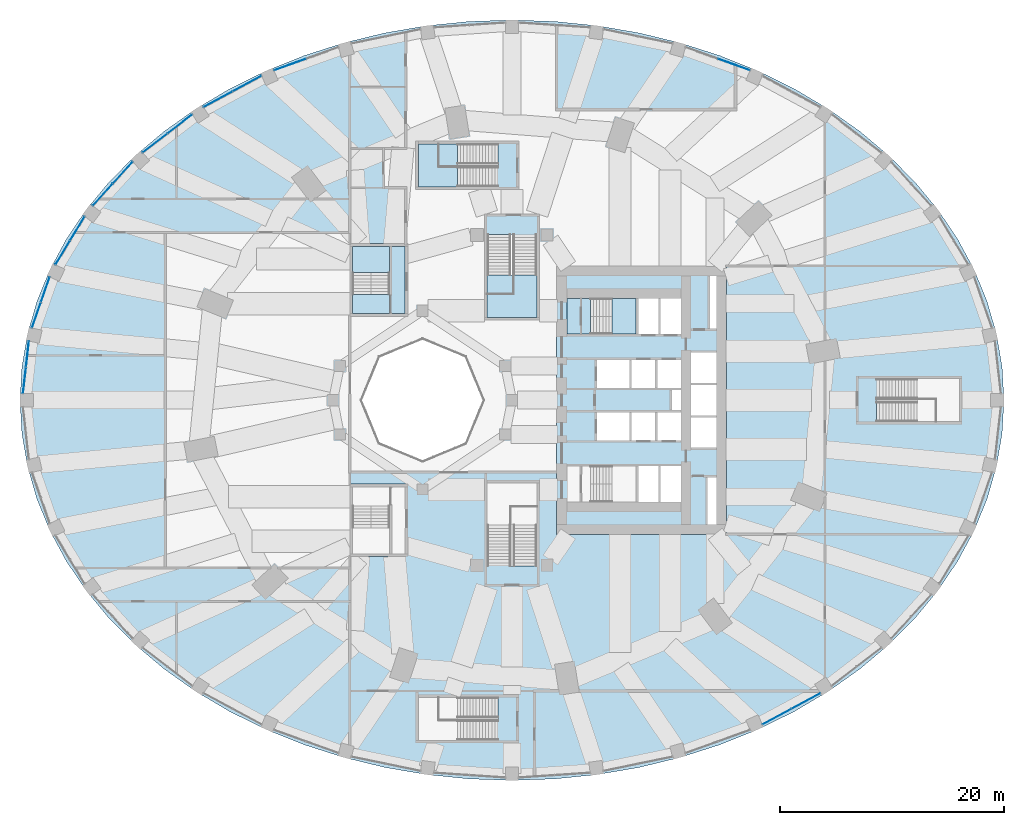
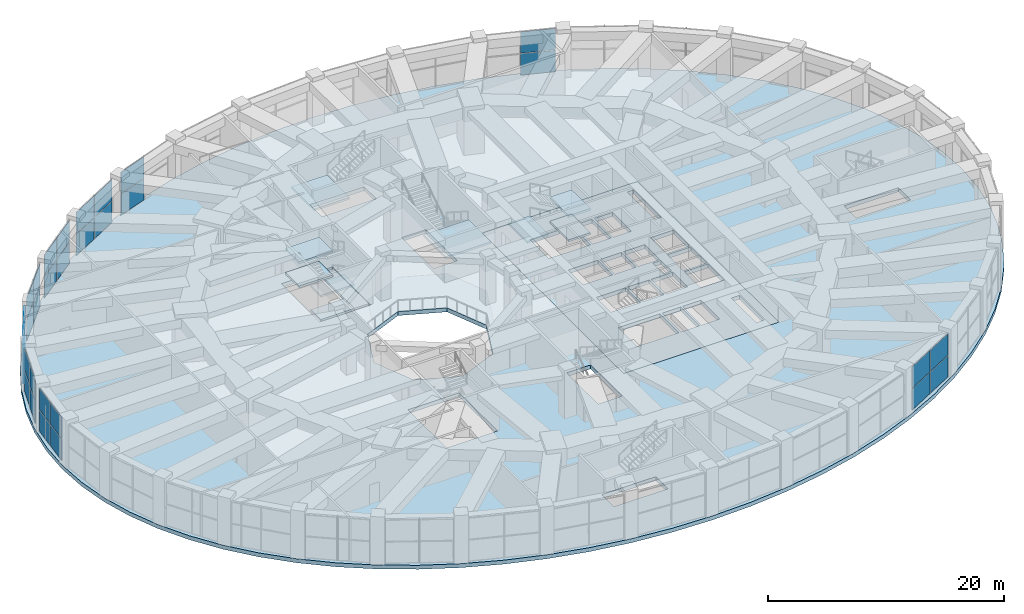
# One storey, part 19 of 32: 32 plates, 12 slabs, 13 elements without a shape of their own.
"""IFC4 building model written with IfcOpenShell, lengths in metres."""

from ifc_helpers import new_model, si_unit, direction, frame, origin, origin_2d, place, context, subcontext, project, spatial, polyline, rectangle, outline, extrude, material, layer, layer_set, type_object, element, aggregate, save


model = new_model("IFC4")

# Units and contexts
model_context = context("Model", 3, precision=1e-05, world=origin(), true_north=direction((0.0, 1.0)))
body_context = subcontext(model_context, "Body", "Model", "MODEL_VIEW")
ifc_project = project(units=[si_unit("LENGTHUNIT", "METRE"), si_unit("AREAUNIT", "SQUARE_METRE"), si_unit("VOLUMEUNIT", "CUBIC_METRE"), si_unit("PLANEANGLEUNIT", "RADIAN"), si_unit("MASSUNIT", "GRAM", prefix="KILO")], contexts=[model_context])

# Site, building, storey
site_placement = place(None, origin())
site = spatial("IfcSite", under=ifc_project, at=site_placement, CompositionType="ELEMENT")
building_placement = place(site_placement, origin())
building = spatial("IfcBuilding", under=site, at=building_placement, Name="Taillehof Tower", CompositionType="ELEMENT")
storey_placement = place(building_placement, frame((0.0, 0.0, 7.5)))
storey = spatial("IfcBuildingStorey", under=building, at=storey_placement, Name="L01", CompositionType="ELEMENT", Elevation=7.5)

# Slabs
ifc_material_1 = material(Name="Concrete C40/50", Category="concrete")
ifc_layer_1 = layer(ifc_material_1, 0.409912109375)
ifc_layer_set_1 = layer_set([ifc_layer_1], Name="Core floor slab C40/50 410")
slab_type_1 = type_object("IfcSlabType", Name="Core floor slab C40/50 410", PredefinedType="FLOOR", material=ifc_layer_set_1)
slab_1_placement = place(storey_placement, frame((0.0, 0.0, -0.409912109375)))
element("IfcSlab", 1, at=slab_1_placement, inside=storey, type_object=slab_type_1, Name="Core floor L01", PredefinedType="FLOOR", context=body_context, shape_type="SweptSolid", body=[
    extrude(outline(polyline([(4.0, -12.0), (4.0, 12.0), (19.199951171875, 12.0), (19.199951171875, -12.0), (4.0, -12.0)]), holes=[polyline([(7.00048828125, -9.10009765625), (11.10009765625, -9.10009765625), (11.10009765625, -5.89990234375), (7.00048828125, -5.89990234375), (7.00048828125, -9.10009765625)]), polyline([(13.10009765625, -9.10009765625), (13.10009765625, -5.89990234375), (11.300048828125, -5.89990234375), (11.300048828125, -9.10009765625), (13.10009765625, -9.10009765625)]), polyline([(10.5, -3.60009765625), (10.5, -1.10009765625), (7.60009765625, -1.10009765625), (7.60009765625, -3.60009765625), (10.5, -3.60009765625)]), polyline([(12.800048828125, -3.60009765625), (12.800048828125, -1.10009765625), (10.699951171875, -1.10009765625), (10.699951171875, -3.60009765625), (12.800048828125, -3.60009765625)]), polyline([(10.5, 1.10009765625), (10.5, 3.60009765625), (7.60009765625, 3.60009765625), (7.60009765625, 1.10009765625), (10.5, 1.10009765625)]), polyline([(12.800048828125, 1.10009765625), (12.800048828125, 3.60009765625), (10.699951171875, 3.60009765625), (10.699951171875, 1.10009765625), (12.800048828125, 1.10009765625)]), polyline([(15.10009765625, 1.10009765625), (15.10009765625, 3.60009765625), (13.0, 3.60009765625), (13.0, 1.10009765625), (15.10009765625, 1.10009765625)]), polyline([(11.300048828125, 5.89990234375), (13.10009765625, 5.89990234375), (13.10009765625, 9.10009765625), (11.300048828125, 9.10009765625), (11.300048828125, 5.89990234375)]), polyline([(7.00048828125, 5.89990234375), (11.10009765625, 5.89990234375), (11.10009765625, 9.10009765625), (7.00048828125, 9.10009765625), (7.00048828125, 5.89990234375)]), polyline([(18.300048828125, -11.10009765625), (18.300048828125, -6.89990234375), (17.5, -6.89990234375), (17.5, -11.10009765625), (18.300048828125, -11.10009765625)]), polyline([(15.10009765625, -9.10009765625), (15.10009765625, -5.89990234375), (13.300048828125, -5.89990234375), (13.300048828125, -9.10009765625), (15.10009765625, -9.10009765625)]), polyline([(18.300048828125, -4.25), (18.300048828125, -1.550048828125), (16.0, -1.550048828125), (16.0, -4.25), (18.300048828125, -4.25)]), polyline([(15.10009765625, -3.60009765625), (15.10009765625, -1.10009765625), (13.0, -1.10009765625), (13.0, -3.60009765625), (15.10009765625, -3.60009765625)]), polyline([(15.10009765625, -0.89990234375), (15.10009765625, 0.89990234375), (14.300048828125, 0.89990234375), (14.300048828125, -0.89990234375), (15.10009765625, -0.89990234375)]), polyline([(18.300048828125, -1.35009765625), (18.300048828125, 1.35009765625), (16.0, 1.35009765625), (16.0, -1.35009765625), (18.300048828125, -1.35009765625)]), polyline([(18.300048828125, 1.550048828125), (18.300048828125, 4.25), (16.0, 4.25), (16.0, 1.550048828125), (18.300048828125, 1.550048828125)]), polyline([(13.300048828125, 5.89990234375), (15.10009765625, 5.89990234375), (15.10009765625, 9.10009765625), (13.300048828125, 9.10009765625), (13.300048828125, 5.89990234375)]), polyline([(17.699951171875, 6.39990234375), (18.300048828125, 6.39990234375), (18.300048828125, 11.10009765625), (17.699951171875, 11.10009765625), (17.699951171875, 6.39990234375)])]), origin(), (0.0, 0.0, 1.0), 0.409912109375),
])
ifc_material_2 = material(Name="Concrete C40/50", Category="concrete")
ifc_layer_2 = layer(ifc_material_2, 0.409912109375)
ifc_layer_set_2 = layer_set([ifc_layer_2], Name="Floor slab 410")
slab_type_2 = type_object("IfcSlabType", Name="Floor slab 410", PredefinedType="FLOOR", material=ifc_layer_set_2)
slab_2_placement = place(storey_placement, frame((0.0, 0.0, -0.409912109375)))
element("IfcSlab", 2, at=slab_2_placement, inside=storey, type_object=slab_type_2, Name="Floor slab L01", PredefinedType="FLOOR", context=body_context, shape_type="SweptSolid", body=[
    extrude(outline(polyline([(44.0, 0.0), (43.83251953125, 2.96337890625), (43.33154296875, 5.904052734375), (42.500732421875, 8.7998046875), (41.346435546875, 11.628662109375), (39.87744140625, 14.368896484375), (38.10498046875, 17.0), (36.042724609375, 19.501708984375), (33.7060546875, 21.854736328125), (31.11279296875, 24.04150390625), (28.28271484375, 26.04541015625), (25.2373046875, 27.851318359375), (22.0, 29.44482421875), (18.59521484375, 30.814453125), (15.048828125, 31.949462890625), (11.387939453125, 32.841552734375), (7.640380859375, 33.4833984375), (3.8349609375, 33.87060546875), (0.0, 34.0), (-3.8349609375, 33.87060546875), (-7.640380859375, 33.4833984375), (-11.387939453125, 32.841552734375), (-15.048828125, 31.949462890625), (-18.59521484375, 30.814453125), (-22.0, 29.44482421875), (-25.2373046875, 27.851318359375), (-28.28271484375, 26.04541015625), (-31.11279296875, 24.04150390625), (-33.7060546875, 21.854736328125), (-36.042724609375, 19.501708984375), (-38.10498046875, 17.0), (-39.87744140625, 14.368896484375), (-41.346435546875, 11.628662109375), (-42.500732421875, 8.7998046875), (-43.33154296875, 5.904052734375), (-43.83251953125, 2.96337890625), (-44.0, 0.0), (-43.83251953125, -2.96337890625), (-43.33154296875, -5.904052734375), (-42.500732421875, -8.7998046875), (-41.346435546875, -11.628662109375), (-39.87744140625, -14.368896484375), (-38.10498046875, -17.0), (-36.042724609375, -19.501708984375), (-33.7060546875, -21.854736328125), (-31.11279296875, -24.04150390625), (-28.28271484375, -26.04541015625), (-25.2373046875, -27.851318359375), (-22.0, -29.44482421875), (-18.59521484375, -30.814453125), (-15.048828125, -31.949462890625), (-11.387939453125, -32.841552734375), (-7.640380859375, -33.4833984375), (-3.8349609375, -33.87060546875), (0.0, -34.0), (3.8349609375, -33.87060546875), (7.640380859375, -33.4833984375), (11.387939453125, -32.841552734375), (15.048828125, -31.949462890625), (18.59521484375, -30.814453125), (22.0, -29.44482421875), (25.2373046875, -27.851318359375), (28.28271484375, -26.04541015625), (31.11279296875, -24.04150390625), (33.7060546875, -21.854736328125), (36.042724609375, -19.501708984375), (38.10498046875, -17.0), (39.87744140625, -14.368896484375), (41.346435546875, -11.628662109375), (42.500732421875, -8.7998046875), (43.33154296875, -5.904052734375), (43.83251953125, -2.96337890625), (44.0, 0.0)]), holes=[polyline([(-1.240478515625, -26.574951171875), (-1.240478515625, -28.625), (-6.56005859375, -28.625), (-6.56005859375, -26.574951171875), (-1.240478515625, -26.574951171875)]), polyline([(2.22509765625, -14.819580078125), (-0.125, -14.819580078125), (-0.125, -9.5), (2.22509765625, -9.5), (2.22509765625, -14.819580078125)]), polyline([(-9.5, -7.5), (-9.5, -14.0), (-14.5, -14.0), (-14.5, -7.5), (-9.5, -7.5)]), polyline([(32.6005859375, -1.925048828125), (32.6005859375, 0.125), (37.919921875, 0.125), (37.919921875, -1.925048828125), (32.6005859375, -1.925048828125)]), polyline([(-11.88916015625, -3.88916015625), (-13.5, 0.0), (-11.88916015625, 3.88916015625), (-8.0, 5.5), (-4.11083984375, 3.88916015625), (-2.5, 0.0), (-4.11083984375, -3.88916015625), (-8.0, -5.5), (-11.88916015625, -3.88916015625)]), polyline([(19.199951171875, -12.0), (4.0, -12.0), (4.0, 12.0), (19.199951171875, 12.0), (19.199951171875, -12.0)]), polyline([(-9.5, 14.0), (-9.5, 7.5), (-14.5, 7.5), (-14.5, 14.0), (-9.5, 14.0)]), polyline([(0.125, 14.819580078125), (0.125, 9.5), (-2.22509765625, 9.5), (-2.22509765625, 14.819580078125), (0.125, 14.819580078125)]), polyline([(-1.240478515625, 20.875), (-6.56005859375, 20.875), (-6.56005859375, 22.925048828125), (-1.240478515625, 22.925048828125), (-1.240478515625, 20.875)])]), origin(), (0.0, 0.0, 1.0), 0.409912109375),
])

# Curtain wall, plates
ifc_material_3 = material(Name="Aluminium curtain wall with Clear low-emissivity double glazing", Category="aluminium")
curtain_wall_type = type_object("IfcCurtainWallType", Name="Podium window wall curtain wall", PredefinedType="USERDEFINED", material=ifc_material_3)
curtain_wall_1_placement = place(storey_placement, origin())
curtain_wall_1 = element("IfcCurtainWall", 3, at=curtain_wall_1_placement, inside=storey, type_object=curtain_wall_type, Name="Podium window wall L01 bay 7", ObjectType="WINDOW WALL", PredefinedType="USERDEFINED")
ifc_material_4 = material(Name="Clear low-emissivity double glazing", Category="glass")
ifc_layer_3 = layer(ifc_material_4, 0.028076171875)
ifc_layer_set_3 = layer_set([ifc_layer_3], Name="Podium window wall glass panel 28")
plate_type = type_object("IfcPlateType", Name="Podium window wall glass panel 28", PredefinedType="CURTAIN_PANEL", material=ifc_layer_set_3)
plate_1_placement = place(storey_placement, frame((19.851806640625, 30.01171875, 0.06005859375), z_axis=(0.0, 0.0, 1.0), x_axis=(-0.94121845058, 0.337798502496, 0.0)))
plate_1 = element("IfcPlate", 4, at=plate_1_placement, type_object=plate_type, Name="CT207 panel 1.1", PredefinedType="CURTAIN_PANEL", context=body_context, shape_type="SweptSolid", body=[
    extrude(rectangle(XDim=3.009765625, YDim=0.028076171875, at=origin_2d()), origin(), (0.0, 0.0, 1.0), 2.205078125),
])
plate_2_placement = place(storey_placement, frame((19.851806640625, 30.01171875, 2.324951171875), z_axis=(0.0, 0.0, 1.0), x_axis=(-0.94121845058, 0.337798502496, 0.0)))
plate_2 = element("IfcPlate", 5, at=plate_2_placement, type_object=plate_type, Name="CT207 panel 1.2", PredefinedType="CURTAIN_PANEL", context=body_context, shape_type="SweptSolid", body=[
    extrude(rectangle(XDim=3.009765625, YDim=0.028076171875, at=origin_2d()), origin(), (0.0, 0.0, 1.0), 2.205078125),
])
aggregate(curtain_wall_1, [plate_1, plate_2])

curtain_wall_2_placement = place(storey_placement, origin())
curtain_wall_2 = element("IfcCurtainWall", 6, at=curtain_wall_2_placement, inside=storey, type_object=curtain_wall_type, Name="Podium window wall L01 bay 12", ObjectType="WINDOW WALL", PredefinedType="USERDEFINED")
plate_3_placement = place(storey_placement, frame((-19.851806640625, 30.01171875, 0.06005859375), z_axis=(0.0, 0.0, 1.0), x_axis=(-0.94121845058, -0.337798502496, 0.0)))
plate_3 = element("IfcPlate", 7, at=plate_3_placement, type_object=plate_type, Name="CT212 panel 2.1", PredefinedType="CURTAIN_PANEL", context=body_context, shape_type="SweptSolid", body=[
    extrude(rectangle(XDim=3.009765625, YDim=0.028076171875, at=origin_2d()), origin(), (0.0, 0.0, 1.0), 2.205078125),
])
plate_4_placement = place(storey_placement, frame((-19.851806640625, 30.01171875, 2.324951171875), z_axis=(0.0, 0.0, 1.0), x_axis=(-0.94121845058, -0.337798502496, 0.0)))
plate_4 = element("IfcPlate", 8, at=plate_4_placement, type_object=plate_type, Name="CT212 panel 2.2", PredefinedType="CURTAIN_PANEL", context=body_context, shape_type="SweptSolid", body=[
    extrude(rectangle(XDim=3.009765625, YDim=0.028076171875, at=origin_2d()), origin(), (0.0, 0.0, 1.0), 2.205078125),
])
aggregate(curtain_wall_2, [plate_3, plate_4])

curtain_wall_3_placement = place(storey_placement, origin())
curtain_wall_3 = element("IfcCurtainWall", 9, at=curtain_wall_3_placement, inside=storey, type_object=curtain_wall_type, Name="Podium window wall L01 bay 13", ObjectType="WINDOW WALL", PredefinedType="USERDEFINED")
plate_5_placement = place(storey_placement, frame((-23.6904296875, 28.30517578125, 0.06005859375), z_axis=(0.0, 0.0, 1.0), x_axis=(-0.880301433958, -0.474414781992, 0.0)))
plate_5 = element("IfcPlate", 10, at=plate_5_placement, type_object=plate_type, Name="CT213 panel 1.1", PredefinedType="CURTAIN_PANEL", context=body_context, shape_type="SweptSolid", body=[
    extrude(rectangle(XDim=2.888916015625, YDim=0.028076171875, at=origin_2d()), origin(), (0.0, 0.0, 1.0), 2.205078125),
])
plate_6_placement = place(storey_placement, frame((-23.6904296875, 28.30517578125, 2.324951171875), z_axis=(0.0, 0.0, 1.0), x_axis=(-0.880301433958, -0.474414781992, 0.0)))
plate_6 = element("IfcPlate", 11, at=plate_6_placement, type_object=plate_type, Name="CT213 panel 1.2", PredefinedType="CURTAIN_PANEL", context=body_context, shape_type="SweptSolid", body=[
    extrude(rectangle(XDim=2.888916015625, YDim=0.028076171875, at=origin_2d()), origin(), (0.0, 0.0, 1.0), 2.205078125),
])
plate_7_placement = place(storey_placement, frame((-26.286376953125, 26.906005859375, 0.06005859375), z_axis=(0.0, 0.0, 1.0), x_axis=(-0.880301433958, -0.474414781992, 0.0)))
plate_7 = element("IfcPlate", 12, at=plate_7_placement, type_object=plate_type, Name="CT213 panel 2.1", PredefinedType="CURTAIN_PANEL", context=body_context, shape_type="SweptSolid", body=[
    extrude(rectangle(XDim=2.888916015625, YDim=0.028076171875, at=origin_2d()), origin(), (0.0, 0.0, 1.0), 2.205078125),
])
plate_8_placement = place(storey_placement, frame((-26.286376953125, 26.906005859375, 2.324951171875), z_axis=(0.0, 0.0, 1.0), x_axis=(-0.880301433958, -0.474414781992, 0.0)))
plate_8 = element("IfcPlate", 13, at=plate_8_placement, type_object=plate_type, Name="CT213 panel 2.2", PredefinedType="CURTAIN_PANEL", context=body_context, shape_type="SweptSolid", body=[
    extrude(rectangle(XDim=2.888916015625, YDim=0.028076171875, at=origin_2d()), origin(), (0.0, 0.0, 1.0), 2.205078125),
])
aggregate(curtain_wall_3, [plate_5, plate_6, plate_7, plate_8])

curtain_wall_4_placement = place(storey_placement, origin())
curtain_wall_4 = element("IfcCurtainWall", 14, at=curtain_wall_4_placement, inside=storey, type_object=curtain_wall_type, Name="Podium window wall L01 bay 14", ObjectType="WINDOW WALL", PredefinedType="USERDEFINED")
plate_9_placement = place(storey_placement, frame((-29.703369140625, 24.697998046875, 0.06005859375), z_axis=(0.0, 0.0, 1.0), x_axis=(-0.792453709228, -0.60993206075, 0.0)))
plate_9 = element("IfcPlate", 15, at=plate_9_placement, type_object=plate_type, Name="CT214 panel 1.1", PredefinedType="CURTAIN_PANEL", context=body_context, shape_type="SweptSolid", body=[
    extrude(rectangle(XDim=2.74658203125, YDim=0.028076171875, at=origin_2d()), origin(), (0.0, 0.0, 1.0), 2.205078125),
])
plate_10_placement = place(storey_placement, frame((-29.703369140625, 24.697998046875, 2.324951171875), z_axis=(0.0, 0.0, 1.0), x_axis=(-0.792453709228, -0.60993206075, 0.0)))
plate_10 = element("IfcPlate", 16, at=plate_10_placement, type_object=plate_type, Name="CT214 panel 1.2", PredefinedType="CURTAIN_PANEL", context=body_context, shape_type="SweptSolid", body=[
    extrude(rectangle(XDim=2.74658203125, YDim=0.028076171875, at=origin_2d()), origin(), (0.0, 0.0, 1.0), 2.205078125),
])
plate_11_placement = place(storey_placement, frame((-31.927490234375, 22.986083984375, 0.06005859375), z_axis=(0.0, 0.0, 1.0), x_axis=(-0.792453709228, -0.60993206075, 0.0)))
plate_11 = element("IfcPlate", 17, at=plate_11_placement, type_object=plate_type, Name="CT214 panel 2.1", PredefinedType="CURTAIN_PANEL", context=body_context, shape_type="SweptSolid", body=[
    extrude(rectangle(XDim=2.74658203125, YDim=0.028076171875, at=origin_2d()), origin(), (0.0, 0.0, 1.0), 2.205078125),
])
plate_12_placement = place(storey_placement, frame((-31.927490234375, 22.986083984375, 2.324951171875), z_axis=(0.0, 0.0, 1.0), x_axis=(-0.792453709228, -0.60993206075, 0.0)))
plate_12 = element("IfcPlate", 18, at=plate_12_placement, type_object=plate_type, Name="CT214 panel 2.2", PredefinedType="CURTAIN_PANEL", context=body_context, shape_type="SweptSolid", body=[
    extrude(rectangle(XDim=2.74658203125, YDim=0.028076171875, at=origin_2d()), origin(), (0.0, 0.0, 1.0), 2.205078125),
])
aggregate(curtain_wall_4, [plate_9, plate_10, plate_11, plate_12])

curtain_wall_5_placement = place(storey_placement, origin())
curtain_wall_5 = element("IfcCurtainWall", 19, at=curtain_wall_5_placement, inside=storey, type_object=curtain_wall_type, Name="Podium window wall L01 bay 15", ObjectType="WINDOW WALL", PredefinedType="USERDEFINED")
plate_13_placement = place(storey_placement, frame((-34.81640625, 20.333984375, 0.06005859375), z_axis=(0.0, 0.0, 1.0), x_axis=(-0.672928961769, -0.739707112587, 0.0)))
plate_13 = element("IfcPlate", 20, at=plate_13_placement, type_object=plate_type, Name="CT215 panel 1.1", PredefinedType="CURTAIN_PANEL", context=body_context, shape_type="SweptSolid", body=[
    extrude(rectangle(XDim=2.59814453125, YDim=0.028076171875, at=origin_2d()), origin(), (0.0, 0.0, 1.0), 2.205078125),
])
plate_14_placement = place(storey_placement, frame((-34.81640625, 20.333984375, 2.324951171875), z_axis=(0.0, 0.0, 1.0), x_axis=(-0.672928961769, -0.739707112587, 0.0)))
plate_14 = element("IfcPlate", 21, at=plate_14_placement, type_object=plate_type, Name="CT215 panel 1.2", PredefinedType="CURTAIN_PANEL", context=body_context, shape_type="SweptSolid", body=[
    extrude(rectangle(XDim=2.59814453125, YDim=0.028076171875, at=origin_2d()), origin(), (0.0, 0.0, 1.0), 2.205078125),
])
plate_15_placement = place(storey_placement, frame((-36.605224609375, 18.367919921875, 0.06005859375), z_axis=(0.0, 0.0, 1.0), x_axis=(-0.672928961769, -0.739707112587, 0.0)))
plate_15 = element("IfcPlate", 22, at=plate_15_placement, type_object=plate_type, Name="CT215 panel 2.1", PredefinedType="CURTAIN_PANEL", context=body_context, shape_type="SweptSolid", body=[
    extrude(rectangle(XDim=2.59814453125, YDim=0.028076171875, at=origin_2d()), origin(), (0.0, 0.0, 1.0), 2.205078125),
])
plate_16_placement = place(storey_placement, frame((-36.605224609375, 18.367919921875, 2.324951171875), z_axis=(0.0, 0.0, 1.0), x_axis=(-0.672928961769, -0.739707112587, 0.0)))
plate_16 = element("IfcPlate", 23, at=plate_16_placement, type_object=plate_type, Name="CT215 panel 2.2", PredefinedType="CURTAIN_PANEL", context=body_context, shape_type="SweptSolid", body=[
    extrude(rectangle(XDim=2.59814453125, YDim=0.028076171875, at=origin_2d()), origin(), (0.0, 0.0, 1.0), 2.205078125),
])
aggregate(curtain_wall_5, [plate_13, plate_14, plate_15, plate_16])

curtain_wall_6_placement = place(storey_placement, origin())
curtain_wall_6 = element("IfcCurtainWall", 24, at=curtain_wall_6_placement, inside=storey, type_object=curtain_wall_type, Name="Podium window wall L01 bay 16", ObjectType="WINDOW WALL", PredefinedType="USERDEFINED")
plate_17_placement = place(storey_placement, frame((-38.870849609375, 15.3447265625, 0.06005859375), z_axis=(0.0, 0.0, 1.0), x_axis=(-0.518151483931, -0.855288863309, 0.0)))
plate_17 = element("IfcPlate", 25, at=plate_17_placement, type_object=plate_type, Name="CT216 panel 1.1", PredefinedType="CURTAIN_PANEL", context=body_context, shape_type="SweptSolid", body=[
    extrude(rectangle(XDim=2.4619140625, YDim=0.028076171875, at=origin_2d()), origin(), (0.0, 0.0, 1.0), 2.205078125),
])
plate_18_placement = place(storey_placement, frame((-38.870849609375, 15.3447265625, 2.324951171875), z_axis=(0.0, 0.0, 1.0), x_axis=(-0.518151483931, -0.855288863309, 0.0)))
plate_18 = element("IfcPlate", 26, at=plate_18_placement, type_object=plate_type, Name="CT216 panel 1.2", PredefinedType="CURTAIN_PANEL", context=body_context, shape_type="SweptSolid", body=[
    extrude(rectangle(XDim=2.4619140625, YDim=0.028076171875, at=origin_2d()), origin(), (0.0, 0.0, 1.0), 2.205078125),
])
plate_19_placement = place(storey_placement, frame((-40.177490234375, 13.18798828125, 0.06005859375), z_axis=(0.0, 0.0, 1.0), x_axis=(-0.518151483931, -0.855288863309, 0.0)))
plate_19 = element("IfcPlate", 27, at=plate_19_placement, type_object=plate_type, Name="CT216 panel 2.1", PredefinedType="CURTAIN_PANEL", context=body_context, shape_type="SweptSolid", body=[
    extrude(rectangle(XDim=2.4619140625, YDim=0.028076171875, at=origin_2d()), origin(), (0.0, 0.0, 1.0), 2.205078125),
])
plate_20_placement = place(storey_placement, frame((-40.177490234375, 13.18798828125, 2.324951171875), z_axis=(0.0, 0.0, 1.0), x_axis=(-0.518151483931, -0.855288863309, 0.0)))
plate_20 = element("IfcPlate", 28, at=plate_20_placement, type_object=plate_type, Name="CT216 panel 2.2", PredefinedType="CURTAIN_PANEL", context=body_context, shape_type="SweptSolid", body=[
    extrude(rectangle(XDim=2.4619140625, YDim=0.028076171875, at=origin_2d()), origin(), (0.0, 0.0, 1.0), 2.205078125),
])
aggregate(curtain_wall_6, [plate_17, plate_18, plate_19, plate_20])

curtain_wall_7_placement = place(storey_placement, origin())
curtain_wall_7 = element("IfcCurtainWall", 29, at=curtain_wall_7_placement, inside=storey, type_object=curtain_wall_type, Name="Podium window wall L01 bay 17", ObjectType="WINDOW WALL", PredefinedType="USERDEFINED")
plate_21_placement = place(storey_placement, frame((-41.7392578125, 9.88232421875, 0.06005859375), z_axis=(0.0, 0.0, 1.0), x_axis=(-0.328757610934, -0.944414333464, 0.0)))
plate_21 = element("IfcPlate", 30, at=plate_21_placement, type_object=plate_type, Name="CT217 panel 1.1", PredefinedType="CURTAIN_PANEL", context=body_context, shape_type="SweptSolid", body=[
    extrude(rectangle(XDim=2.35693359375, YDim=0.028076171875, at=origin_2d()), origin(), (0.0, 0.0, 1.0), 2.205078125),
])
plate_22_placement = place(storey_placement, frame((-41.7392578125, 9.88232421875, 2.324951171875), z_axis=(0.0, 0.0, 1.0), x_axis=(-0.328757610934, -0.944414333464, 0.0)))
plate_22 = element("IfcPlate", 31, at=plate_22_placement, type_object=plate_type, Name="CT217 panel 1.2", PredefinedType="CURTAIN_PANEL", context=body_context, shape_type="SweptSolid", body=[
    extrude(rectangle(XDim=2.35693359375, YDim=0.028076171875, at=origin_2d()), origin(), (0.0, 0.0, 1.0), 2.205078125),
])
plate_23_placement = place(storey_placement, frame((-42.53369140625, 7.599853515625, 0.06005859375), z_axis=(0.0, 0.0, 1.0), x_axis=(-0.328757610934, -0.944414333464, 0.0)))
plate_23 = element("IfcPlate", 32, at=plate_23_placement, type_object=plate_type, Name="CT217 panel 2.1", PredefinedType="CURTAIN_PANEL", context=body_context, shape_type="SweptSolid", body=[
    extrude(rectangle(XDim=2.35693359375, YDim=0.028076171875, at=origin_2d()), origin(), (0.0, 0.0, 1.0), 2.205078125),
])
plate_24_placement = place(storey_placement, frame((-42.53369140625, 7.599853515625, 2.324951171875), z_axis=(0.0, 0.0, 1.0), x_axis=(-0.328757610934, -0.944414333464, 0.0)))
plate_24 = element("IfcPlate", 33, at=plate_24_placement, type_object=plate_type, Name="CT217 panel 2.2", PredefinedType="CURTAIN_PANEL", context=body_context, shape_type="SweptSolid", body=[
    extrude(rectangle(XDim=2.35693359375, YDim=0.028076171875, at=origin_2d()), origin(), (0.0, 0.0, 1.0), 2.205078125),
])
aggregate(curtain_wall_7, [plate_21, plate_22, plate_23, plate_24])

curtain_wall_8_placement = place(storey_placement, origin())
curtain_wall_8 = element("IfcCurtainWall", 34, at=curtain_wall_8_placement, inside=storey, type_object=curtain_wall_type, Name="Podium window wall L01 bay 18", ObjectType="WINDOW WALL", PredefinedType="USERDEFINED")
plate_25_placement = place(storey_placement, frame((-43.330810546875, 4.116455078125, 0.06005859375), z_axis=(0.0, 0.0, 1.0), x_axis=(-0.112932433888, -0.993602669771, 0.0)))
plate_25 = element("IfcPlate", 35, at=plate_25_placement, type_object=plate_type, Name="CT218 panel 1.1", PredefinedType="CURTAIN_PANEL", context=body_context, shape_type="SweptSolid", body=[
    extrude(rectangle(XDim=2.299560546875, YDim=0.028076171875, at=origin_2d()), origin(), (0.0, 0.0, 1.0), 2.205078125),
])
plate_26_placement = place(storey_placement, frame((-43.330810546875, 4.116455078125, 2.324951171875), z_axis=(0.0, 0.0, 1.0), x_axis=(-0.112932433888, -0.993602669771, 0.0)))
plate_26 = element("IfcPlate", 36, at=plate_26_placement, type_object=plate_type, Name="CT218 panel 1.2", PredefinedType="CURTAIN_PANEL", context=body_context, shape_type="SweptSolid", body=[
    extrude(rectangle(XDim=2.299560546875, YDim=0.028076171875, at=origin_2d()), origin(), (0.0, 0.0, 1.0), 2.205078125),
])
plate_27_placement = place(storey_placement, frame((-43.59716796875, 1.772216796875, 0.06005859375), z_axis=(0.0, 0.0, 1.0), x_axis=(-0.112932433888, -0.993602669771, 0.0)))
plate_27 = element("IfcPlate", 37, at=plate_27_placement, type_object=plate_type, Name="CT218 panel 2.1", PredefinedType="CURTAIN_PANEL", context=body_context, shape_type="SweptSolid", body=[
    extrude(rectangle(XDim=2.299560546875, YDim=0.028076171875, at=origin_2d()), origin(), (0.0, 0.0, 1.0), 2.205078125),
])
plate_28_placement = place(storey_placement, frame((-43.59716796875, 1.772216796875, 2.324951171875), z_axis=(0.0, 0.0, 1.0), x_axis=(-0.112932433888, -0.993602669771, 0.0)))
plate_28 = element("IfcPlate", 38, at=plate_28_placement, type_object=plate_type, Name="CT218 panel 2.2", PredefinedType="CURTAIN_PANEL", context=body_context, shape_type="SweptSolid", body=[
    extrude(rectangle(XDim=2.299560546875, YDim=0.028076171875, at=origin_2d()), origin(), (0.0, 0.0, 1.0), 2.205078125),
])
aggregate(curtain_wall_8, [plate_25, plate_26, plate_27, plate_28])

curtain_wall_9_placement = place(storey_placement, origin())
curtain_wall_9 = element("IfcCurtainWall", 39, at=curtain_wall_9_placement, inside=storey, type_object=curtain_wall_type, Name="Podium window wall L01 bay 31", ObjectType="WINDOW WALL", PredefinedType="USERDEFINED")
plate_29_placement = place(storey_placement, frame((23.6904296875, -28.30517578125, 0.06005859375), z_axis=(0.0, 0.0, 1.0), x_axis=(0.880301433958, 0.474414781992, 0.0)))
plate_29 = element("IfcPlate", 40, at=plate_29_placement, type_object=plate_type, Name="CT231 panel 1.1", PredefinedType="CURTAIN_PANEL", context=body_context, shape_type="SweptSolid", body=[
    extrude(rectangle(XDim=2.888916015625, YDim=0.028076171875, at=origin_2d()), origin(), (0.0, 0.0, 1.0), 2.205078125),
])
plate_30_placement = place(storey_placement, frame((23.6904296875, -28.30517578125, 2.324951171875), z_axis=(0.0, 0.0, 1.0), x_axis=(0.880301433958, 0.474414781992, 0.0)))
plate_30 = element("IfcPlate", 41, at=plate_30_placement, type_object=plate_type, Name="CT231 panel 1.2", PredefinedType="CURTAIN_PANEL", context=body_context, shape_type="SweptSolid", body=[
    extrude(rectangle(XDim=2.888916015625, YDim=0.028076171875, at=origin_2d()), origin(), (0.0, 0.0, 1.0), 2.205078125),
])
plate_31_placement = place(storey_placement, frame((26.286376953125, -26.906005859375, 0.06005859375), z_axis=(0.0, 0.0, 1.0), x_axis=(0.880301433958, 0.474414781992, 0.0)))
plate_31 = element("IfcPlate", 42, at=plate_31_placement, type_object=plate_type, Name="CT231 panel 2.1", PredefinedType="CURTAIN_PANEL", context=body_context, shape_type="SweptSolid", body=[
    extrude(rectangle(XDim=2.888916015625, YDim=0.028076171875, at=origin_2d()), origin(), (0.0, 0.0, 1.0), 2.205078125),
])
plate_32_placement = place(storey_placement, frame((26.286376953125, -26.906005859375, 2.324951171875), z_axis=(0.0, 0.0, 1.0), x_axis=(0.880301433958, 0.474414781992, 0.0)))
plate_32 = element("IfcPlate", 43, at=plate_32_placement, type_object=plate_type, Name="CT231 panel 2.2", PredefinedType="CURTAIN_PANEL", context=body_context, shape_type="SweptSolid", body=[
    extrude(rectangle(XDim=2.888916015625, YDim=0.028076171875, at=origin_2d()), origin(), (0.0, 0.0, 1.0), 2.205078125),
])
aggregate(curtain_wall_9, [plate_29, plate_30, plate_31, plate_32])

# Stair, slab
ifc_material_5 = material(Name="Concrete C30/37", Category="concrete")
stair_type_1 = type_object("IfcStairType", Name="Escape stair 2100 mm", PredefinedType="HALF_TURN_STAIR", material=ifc_material_5)
stair_1_placement = place(storey_placement, origin())
stair_1 = element("IfcStair", 44, at=stair_1_placement, inside=storey, type_object=stair_type_1, Name="Escape stair P1", PredefinedType="HALF_TURN_STAIR")
ifc_material_6 = material(Name="Concrete C30/37", Category="concrete")
ifc_layer_4 = layer(ifc_material_6, 0.199951171875)
ifc_layer_set_4 = layer_set([ifc_layer_4], Name="Stair landing 200 mm")
slab_type_3 = type_object("IfcSlabType", Name="Stair landing 200 mm", PredefinedType="LANDING", material=ifc_layer_set_4)
slab_3_placement = place(storey_placement, frame((0.0, 0.0, 2.300048828125)))
slab_3 = element("IfcSlab", 45, at=slab_3_placement, type_object=slab_type_3, Name="P1 landing 1", PredefinedType="LANDING", context=body_context, shape_type="SweptSolid", body=[
    extrude(outline(polyline([(2.22509765625, 11.179931640625), (-2.22509765625, 11.179931640625), (-2.22509765625, 7.39990234375), (2.22509765625, 7.39990234375), (2.22509765625, 11.179931640625)])), origin(), (0.0, 0.0, 1.0), 0.199951171875),
])
aggregate(stair_1, [slab_3])

ifc_material_7 = material(Name="Concrete C30/37", Category="concrete")
stair_type_2 = type_object("IfcStairType", Name="Escape stair 1800 mm", PredefinedType="HALF_TURN_STAIR", material=ifc_material_7)
stair_2_placement = place(storey_placement, origin())
stair_2 = element("IfcStair", 46, at=stair_2_placement, inside=storey, type_object=stair_type_2, Name="Escape stair P3", PredefinedType="HALF_TURN_STAIR")
slab_4_placement = place(storey_placement, frame((0.0, 0.0, 2.300048828125)))
slab_4 = element("IfcSlab", 47, at=slab_4_placement, type_object=slab_type_3, Name="P3 landing 1", PredefinedType="LANDING", context=body_context, shape_type="SweptSolid", body=[
    extrude(outline(polyline([(-4.8798828125, 19.074951171875), (-4.8798828125, 22.925048828125), (-8.360107421875, 22.925048828125), (-8.360107421875, 19.074951171875), (-4.8798828125, 19.074951171875)])), origin(), (0.0, 0.0, 1.0), 0.199951171875),
])
aggregate(stair_2, [slab_4])

# Stair, slabs
ifc_material_8 = material(Name="Concrete C40/50", Category="concrete")
stair_type_3 = type_object("IfcStairType", Name="Exit stair half-turn", PredefinedType="HALF_TURN_STAIR", material=ifc_material_8)
stair_3_placement = place(storey_placement, origin())
stair_3 = element("IfcStair", 48, at=stair_3_placement, inside=storey, type_object=stair_type_3, Name="Exit stair S1", PredefinedType="HALF_TURN_STAIR")
ifc_material_9 = material(Name="Concrete C40/50", Category="concrete")
ifc_layer_5 = layer(ifc_material_9, 0.2099609375)
ifc_layer_set_5 = layer_set([ifc_layer_5], Name="Stair landing C40/50 210")
slab_type_4 = type_object("IfcSlabType", Name="Stair landing C40/50 210", PredefinedType="LANDING", material=ifc_layer_set_5)
slab_5_placement = place(storey_placement, frame((0.0, 0.0, 1.0400390625)))
slab_5 = element("IfcSlab", 49, at=slab_5_placement, type_object=slab_type_4, Name="S1 landing 1", PredefinedType="LANDING", context=body_context, shape_type="SweptSolid", body=[
    extrude(outline(polyline([(8.9599609375, 5.89990234375), (11.10009765625, 5.89990234375), (11.10009765625, 9.10009765625), (8.9599609375, 9.10009765625), (8.9599609375, 5.89990234375)])), origin(), (0.0, 0.0, 1.0), 0.2099609375),
])
slab_6_placement = place(storey_placement, frame((0.0, 0.0, 2.2900390625)))
slab_6 = element("IfcSlab", 50, at=slab_6_placement, type_object=slab_type_4, Name="S1 landing 2", PredefinedType="LANDING", context=body_context, shape_type="SweptSolid", body=[
    extrude(outline(polyline([(4.89990234375, 5.89990234375), (7.0, 5.89990234375), (7.0, 9.10009765625), (4.89990234375, 9.10009765625), (4.89990234375, 5.89990234375)])), origin(), (0.0, 0.0, 1.0), 0.2099609375),
])
slab_7_placement = place(storey_placement, frame((0.0, 0.0, 3.5400390625)))
slab_7 = element("IfcSlab", 51, at=slab_7_placement, type_object=slab_type_4, Name="S1 landing 3", PredefinedType="LANDING", context=body_context, shape_type="SweptSolid", body=[
    extrude(outline(polyline([(8.9599609375, 5.89990234375), (11.10009765625, 5.89990234375), (11.10009765625, 9.10009765625), (8.9599609375, 9.10009765625), (8.9599609375, 5.89990234375)])), origin(), (0.0, 0.0, 1.0), 0.2099609375),
])
aggregate(stair_3, [slab_5, slab_6, slab_7])

stair_4_placement = place(storey_placement, origin())
stair_4 = element("IfcStair", 52, at=stair_4_placement, inside=storey, type_object=stair_type_3, Name="Exit stair S3", PredefinedType="HALF_TURN_STAIR")
slab_8_placement = place(storey_placement, frame((0.0, 0.0, 1.0400390625)))
slab_8 = element("IfcSlab", 53, at=slab_8_placement, type_object=slab_type_4, Name="S3 landing 1", PredefinedType="LANDING", context=body_context, shape_type="SweptSolid", body=[
    extrude(outline(polyline([(-14.25, 11.409912109375), (-14.25, 13.75), (-10.949951171875, 13.75), (-10.949951171875, 11.409912109375), (-14.25, 11.409912109375)])), origin(), (0.0, 0.0, 1.0), 0.2099609375),
])
slab_9_placement = place(storey_placement, frame((0.0, 0.0, 2.2900390625)))
slab_9 = element("IfcSlab", 54, at=slab_9_placement, type_object=slab_type_4, Name="S3 landing 2", PredefinedType="LANDING", context=body_context, shape_type="SweptSolid", body=[
    extrude(outline(polyline([(-14.25, 7.75), (-14.25, 9.449951171875), (-10.949951171875, 9.449951171875), (-10.949951171875, 7.75), (-14.25, 7.75)])), origin(), (0.0, 0.0, 1.0), 0.2099609375),
])
slab_10_placement = place(storey_placement, frame((0.0, 0.0, 3.5400390625)))
slab_10 = element("IfcSlab", 55, at=slab_10_placement, type_object=slab_type_4, Name="S3 landing 3", PredefinedType="LANDING", context=body_context, shape_type="SweptSolid", body=[
    extrude(outline(polyline([(-14.25, 11.409912109375), (-14.25, 13.75), (-10.949951171875, 13.75), (-10.949951171875, 11.409912109375), (-14.25, 11.409912109375)])), origin(), (0.0, 0.0, 1.0), 0.2099609375),
])
aggregate(stair_4, [slab_8, slab_9, slab_10])

# Slabs
slab_11_placement = place(storey_placement, frame((0.0, 0.0, -0.2099609375)))
element("IfcSlab", 56, at=slab_11_placement, inside=storey, type_object=slab_type_4, Name="Stair S3 floor landing", PredefinedType="LANDING", context=body_context, shape_type="SweptSolid", body=[
    extrude(outline(polyline([(-14.25, 7.75), (-14.25, 9.449951171875), (-10.949951171875, 9.449951171875), (-10.949951171875, 7.75), (-14.25, 7.75)])), origin(), (0.0, 0.0, 1.0), 0.2099609375),
])
slab_12_placement = place(storey_placement, frame((0.0, 0.0, -0.2099609375)))
element("IfcSlab", 57, at=slab_12_placement, inside=storey, type_object=slab_type_4, Name="Stair lobby S3 floor", PredefinedType="LANDING", context=body_context, shape_type="SweptSolid", body=[
    extrude(outline(polyline([(-10.949951171875, 7.75), (-9.550048828125, 7.75), (-9.550048828125, 13.75), (-10.949951171875, 13.75), (-10.949951171875, 7.75)])), origin(), (0.0, 0.0, 1.0), 0.2099609375),
])

save(model, "model.ifc")
